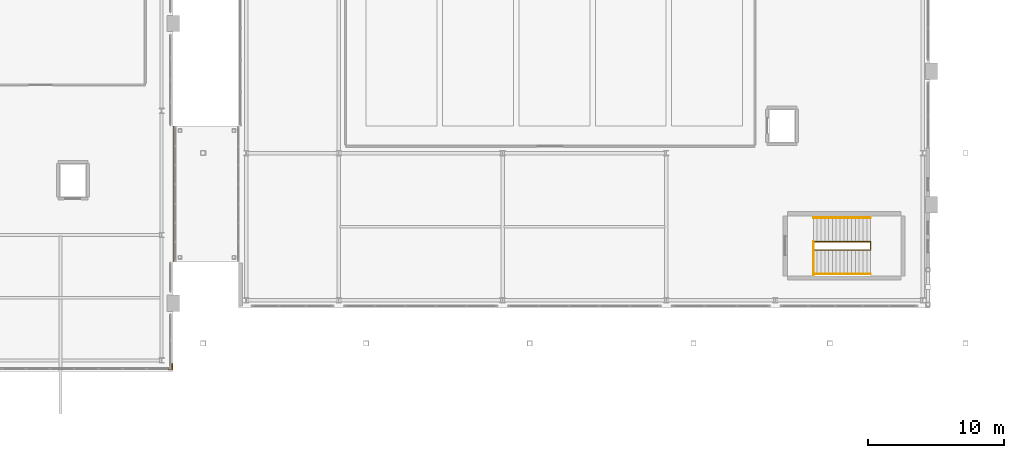
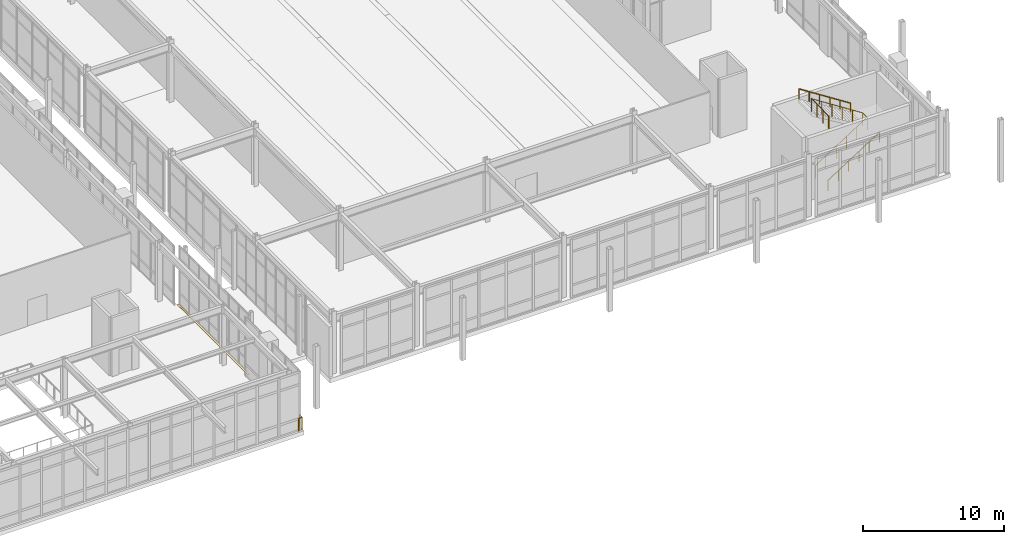
# One storey, part 155 of 159: 5 railings, 1 covering.
"""IFC4 building model written with IfcOpenShell, lengths in metres."""

from ifc_helpers import new_model, si_unit, derived_unit, direction, frame, origin, origin_2d, place, context, subcontext, project, spatial, polyline, circle, outline, extrude, material, layer, layer_set, type_object, element, save


model = new_model("IFC4")

# Units and contexts
model_context = context("Model", 3, precision=1e-05, world=origin(), true_north=direction((0.0, 1.0)))
body_context = subcontext(model_context, "Body", "Model", "MODEL_VIEW")
ifc_project = project(units=[si_unit("LENGTHUNIT", "METRE"), si_unit("AREAUNIT", "SQUARE_METRE"), si_unit("VOLUMEUNIT", "CUBIC_METRE"), si_unit("PLANEANGLEUNIT", "RADIAN"), si_unit("MASSUNIT", "GRAM", prefix="KILO"), derived_unit("THERMALTRANSMITTANCEUNIT", [(si_unit("MASSUNIT", "GRAM", prefix="KILO"), 1), (si_unit("TIMEUNIT", "SECOND"), -3), (si_unit("THERMODYNAMICTEMPERATUREUNIT", "KELVIN"), -1)])], contexts=[model_context])

# Site, building, storey
site_placement = place(None, origin())
site = spatial("IfcSite", under=ifc_project, at=site_placement, CompositionType="ELEMENT")
building_placement = place(site_placement, origin())
building = spatial("IfcBuilding", under=site, at=building_placement, Name="Valcora Ridge Arena", CompositionType="ELEMENT")
storey_placement = place(building_placement, frame((0.0, 0.0, 6.0)))
storey = spatial("IfcBuildingStorey", under=building, at=storey_placement, Name="L01", CompositionType="ELEMENT", Elevation=6.0)

# Covering
ifc_material_1 = material(Name="Steel ASTM A572 Grade 50", Category="steel")
ifc_layer = layer(ifc_material_1, 0.02001953125, Name="Steel ASTM A572 Grade 50")
ifc_layer_set = layer_set([ifc_layer], Name="Steel ASTM A572 Grade 50")
covering_type = type_object("IfcCoveringType", Name="TY-COVERING-COV-SJ-150", PredefinedType="FLOORING", material=ifc_layer_set)
covering_placement = place(storey_placement, frame((0.0, 0.0, -0.02001953125)))
element("IfcCovering", 1, at=covering_placement, inside=storey, type_object=covering_type, Name="COV-SJ-150 COV-SJ-0004", PredefinedType="FLOORING", context=body_context, shape_type="SweptSolid", body=[
    extrude(outline(polyline([(131.85009765625, 8.0), (132.0, 8.0), (132.0, 18.0), (131.85009765625, 18.0), (131.85009765625, 8.0)])), origin(), (0.0, 0.0, 1.0), 0.02001953125),
])

# Railings
ifc_material_2 = material(Name="Galvanized painted steel ASTM A500 Grade B", Category="steel")
railing_type_1 = type_object("IfcRailingType", Name="TY-RAILING-GRD-STAIR-1120", PredefinedType="GUARDRAIL", material=ifc_material_2)
railing_1_placement = place(storey_placement, frame((178.7900390625, 8.89990234375, 0.0)))
element("IfcRailing", 2, at=railing_1_placement, inside=storey, type_object=railing_type_1, Name="GRD-STAIR-1120 RAL-SG-0091", PredefinedType="GUARDRAIL", context=body_context, shape_type="SweptSolid", body=[
    extrude(circle(Radius=0.02392578125, at=origin_2d()), frame((0.0, 0.0, 1.09619140625), z_axis=(0.841180064094, 0.0, 0.540755119968), x_axis=(0.0, 1.0, 0.0)), (0.0, 0.0, 1.0), 4.992919921875),
    extrude(circle(Radius=0.02392578125, at=origin_2d()), frame((4.199951171875, 0.0, 3.7958984375), z_axis=(0.0, 1.0, 0.0), x_axis=(-1.0, 0.0, 0.0)), (0.0, 0.0, 1.0), 0.60009765625),
    extrude(circle(Radius=0.02392578125, at=origin_2d()), frame((4.199951171875, 0.60009765625, 3.7958984375), z_axis=(-0.841180064094, 0.0, 0.540755119968), x_axis=(0.0, -1.0, 0.0)), (0.0, 0.0, 1.0), 4.992919921875),
    extrude(circle(Radius=0.02099609375, at=origin_2d()), origin(), (0.0, 0.0, 1.0), 1.072021484375),
    extrude(circle(Radius=0.02099609375, at=origin_2d()), frame((0.840087890625, 0.0, 0.5400390625)), (0.0, 0.0, 1.0), 1.072021484375),
    extrude(circle(Radius=0.02099609375, at=origin_2d()), frame((1.679931640625, 0.0, 1.080078125)), (0.0, 0.0, 1.0), 1.072021484375),
    extrude(circle(Radius=0.02099609375, at=origin_2d()), frame((2.52001953125, 0.0, 1.619873046875)), (0.0, 0.0, 1.0), 1.072021484375),
    extrude(circle(Radius=0.02099609375, at=origin_2d()), frame((3.35986328125, 0.0, 2.159912109375)), (0.0, 0.0, 1.0), 1.072021484375),
    extrude(circle(Radius=0.02099609375, at=origin_2d()), frame((4.199951171875, 0.0, 2.699951171875)), (0.0, 0.0, 1.0), 1.072021484375),
    extrude(circle(Radius=0.02099609375, at=origin_2d()), frame((4.199951171875, 0.60009765625, 2.699951171875)), (0.0, 0.0, 1.0), 1.072021484375),
    extrude(circle(Radius=0.02099609375, at=origin_2d()), frame((3.35986328125, 0.60009765625, 3.239990234375)), (0.0, 0.0, 1.0), 1.072021484375),
    extrude(circle(Radius=0.02099609375, at=origin_2d()), frame((2.52001953125, 0.60009765625, 3.780029296875)), (0.0, 0.0, 1.0), 1.072021484375),
    extrude(circle(Radius=0.02099609375, at=origin_2d()), frame((1.679931640625, 0.60009765625, 4.31982421875)), (0.0, 0.0, 1.0), 1.072021484375),
    extrude(circle(Radius=0.02099609375, at=origin_2d()), frame((0.840087890625, 0.60009765625, 4.85986328125)), (0.0, 0.0, 1.0), 1.072021484375),
    extrude(circle(Radius=0.02099609375, at=origin_2d()), frame((0.0, 0.60009765625, 5.39990234375)), (0.0, 0.0, 1.0), 1.072021484375),
])
railing_2_placement = place(storey_placement, frame((178.7900390625, 7.050048828125, 5.39990234375)))
element("IfcRailing", 3, at=railing_2_placement, inside=storey, type_object=railing_type_1, Name="GRD-STAIR-1120 RAL-SG-0092", PredefinedType="GUARDRAIL", context=body_context, shape_type="SweptSolid", body=[
    extrude(circle(Radius=0.02392578125, at=origin_2d()), frame((0.0, 0.0, 1.09619140625), z_axis=(0.0, 1.0, 0.0), x_axis=(-1.0, 0.0, 0.0)), (0.0, 0.0, 1.0), 2.449951171875),
    extrude(circle(Radius=0.02099609375, at=origin_2d()), origin(), (0.0, 0.0, 1.0), 1.072021484375),
    extrude(circle(Radius=0.02099609375, at=origin_2d()), frame((0.0, 0.816650390625, 0.0)), (0.0, 0.0, 1.0), 1.072021484375),
    extrude(circle(Radius=0.02099609375, at=origin_2d()), frame((0.0, 1.63330078125, 0.0)), (0.0, 0.0, 1.0), 1.072021484375),
    extrude(circle(Radius=0.02099609375, at=origin_2d()), frame((0.0, 2.449951171875, 0.0)), (0.0, 0.0, 1.0), 1.072021484375),
])
railing_type_2 = type_object("IfcRailingType", Name="TY-RAILING-GRD-VOID-1120", PredefinedType="GUARDRAIL", material=ifc_material_2)
railing_3_placement = place(storey_placement, frame((131.5, 0.14990234375, 0.0)))
element("IfcRailing", 4, at=railing_3_placement, inside=storey, type_object=railing_type_2, Name="GRD-VOID-1120 RAL-DK-0024", PredefinedType="GUARDRAIL", context=body_context, shape_type="SweptSolid", body=[
    extrude(circle(Radius=0.02392578125, at=origin_2d()), frame((0.0, 0.0, 1.09619140625), z_axis=(1.0, 0.0, 0.0), x_axis=(0.0, 1.0, 0.0)), (0.0, 0.0, 1.0), 0.280029296875),
    extrude(circle(Radius=0.02392578125, at=origin_2d()), frame((0.280029296875, 0.0, 1.09619140625), z_axis=(0.0, 1.0, 0.0), x_axis=(-1.0, 0.0, 0.0)), (0.0, 0.0, 1.0), 0.400146484375),
    extrude(circle(Radius=0.02099609375, at=origin_2d()), origin(), (0.0, 0.0, 1.0), 1.072021484375),
    extrude(circle(Radius=0.02099609375, at=origin_2d()), frame((0.280029296875, 0.0, 0.0)), (0.0, 0.0, 1.0), 1.072021484375),
    extrude(circle(Radius=0.02099609375, at=origin_2d()), frame((0.280029296875, 0.400146484375, 0.0)), (0.0, 0.0, 1.0), 1.072021484375),
])
railing_type_3 = type_object("IfcRailingType", Name="TY-RAILING-HR-STAIR-900", PredefinedType="HANDRAIL", material=ifc_material_2)
railing_4_placement = place(storey_placement, frame((178.7900390625, 7.139892578125, 0.0)))
element("IfcRailing", 5, at=railing_4_placement, inside=storey, type_object=railing_type_3, Name="HR-STAIR-900 RAL-SH-0091", PredefinedType="HANDRAIL", context=body_context, shape_type="SweptSolid", body=[
    extrude(circle(Radius=0.02392578125, at=origin_2d()), frame((0.0, 0.0, 0.8759765625), z_axis=(0.841180064094, 0.0, 0.540755119968), x_axis=(0.0, 1.0, 0.0)), (0.0, 0.0, 1.0), 4.992919921875),
    extrude(circle(Radius=0.02099609375, at=origin_2d()), origin(), (0.0, 0.0, 1.0), 0.851806640625),
    extrude(circle(Radius=0.02099609375, at=origin_2d()), frame((0.840087890625, 0.0, 0.5400390625)), (0.0, 0.0, 1.0), 0.851806640625),
    extrude(circle(Radius=0.02099609375, at=origin_2d()), frame((1.679931640625, 0.0, 1.080078125)), (0.0, 0.0, 1.0), 0.851806640625),
    extrude(circle(Radius=0.02099609375, at=origin_2d()), frame((2.52001953125, 0.0, 1.619873046875)), (0.0, 0.0, 1.0), 0.851806640625),
    extrude(circle(Radius=0.02099609375, at=origin_2d()), frame((3.35986328125, 0.0, 2.159912109375)), (0.0, 0.0, 1.0), 0.851806640625),
    extrude(circle(Radius=0.02099609375, at=origin_2d()), frame((4.199951171875, 0.0, 2.699951171875)), (0.0, 0.0, 1.0), 0.851806640625),
])
railing_5_placement = place(storey_placement, frame((182.989990234375, 11.260009765625, 2.699951171875)))
element("IfcRailing", 6, at=railing_5_placement, inside=storey, type_object=railing_type_3, Name="HR-STAIR-900 RAL-SH-0092", PredefinedType="HANDRAIL", context=body_context, shape_type="SweptSolid", body=[
    extrude(circle(Radius=0.02392578125, at=origin_2d()), frame((0.0, 0.0, 0.8759765625), z_axis=(-0.841180064094, 0.0, 0.540755119968), x_axis=(0.0, -1.0, 0.0)), (0.0, 0.0, 1.0), 4.992919921875),
    extrude(circle(Radius=0.02099609375, at=origin_2d()), origin(), (0.0, 0.0, 1.0), 0.851806640625),
    extrude(circle(Radius=0.02099609375, at=origin_2d()), frame((-0.840087890625, 0.0, 0.5400390625)), (0.0, 0.0, 1.0), 0.851806640625),
    extrude(circle(Radius=0.02099609375, at=origin_2d()), frame((-1.679931640625, 0.0, 1.080078125)), (0.0, 0.0, 1.0), 0.851806640625),
    extrude(circle(Radius=0.02099609375, at=origin_2d()), frame((-2.52001953125, 0.0, 1.619873046875)), (0.0, 0.0, 1.0), 0.851806640625),
    extrude(circle(Radius=0.02099609375, at=origin_2d()), frame((-3.35986328125, 0.0, 2.159912109375)), (0.0, 0.0, 1.0), 0.851806640625),
    extrude(circle(Radius=0.02099609375, at=origin_2d()), frame((-4.199951171875, 0.0, 2.699951171875)), (0.0, 0.0, 1.0), 0.851806640625),
])

save(model, "model.ifc")
